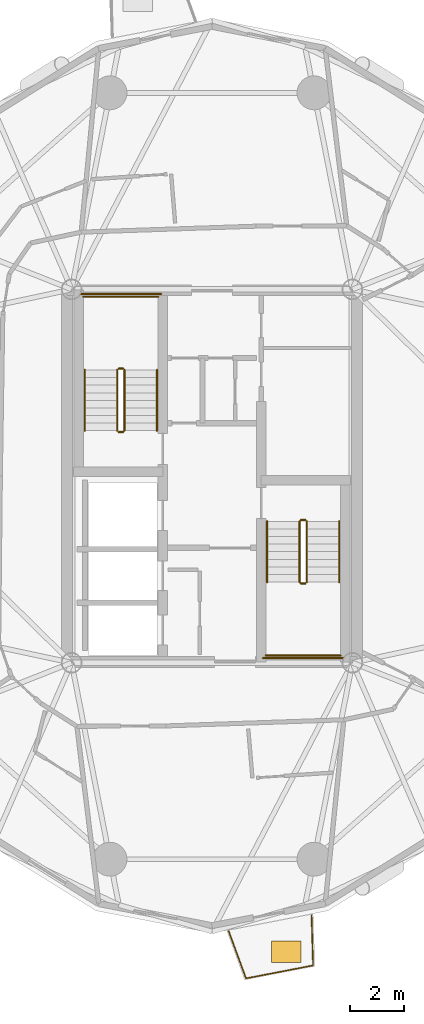
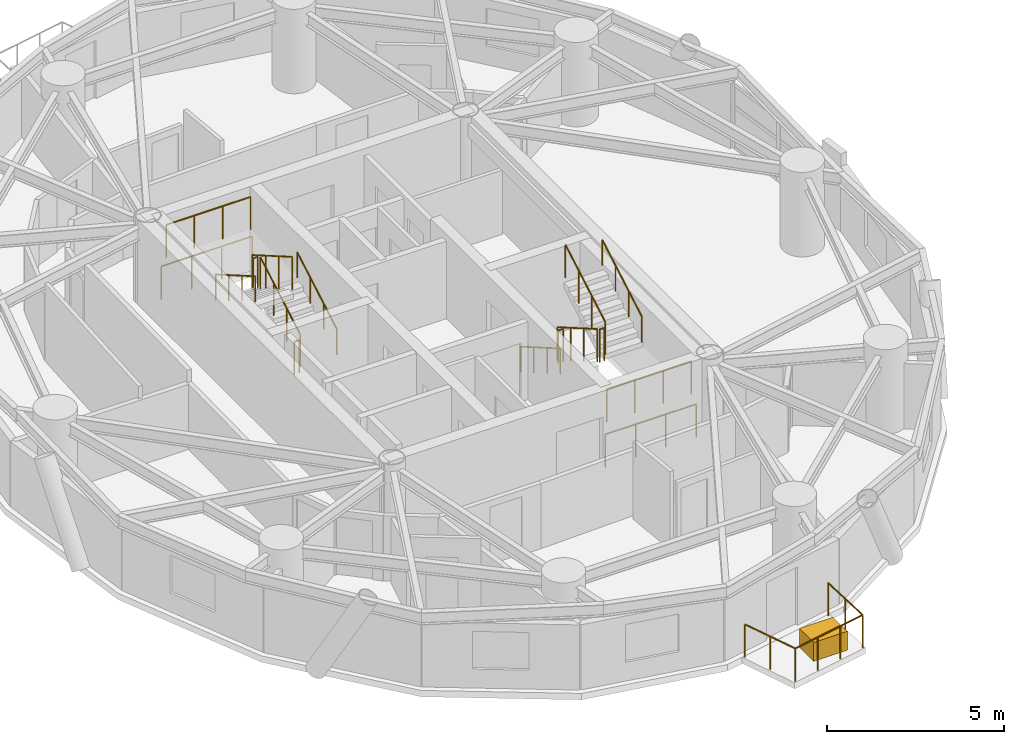
# One storey, part 14 of 16: 17 railings, 1 covering.
"""IFC4 building model written with IfcOpenShell, lengths in metres."""

from ifc_helpers import new_model, si_unit, direction, frame, origin, origin_2d, place, context, subcontext, project, spatial, rectangle, circle, extrude, source, transform, mapped, material, layer, layer_set, type_object, element, save


model = new_model("IFC4")

# Units and contexts
model_context = context("Model", 3, precision=1e-05, world=origin(), true_north=direction((0.0, 1.0)))
body_context = subcontext(model_context, "Body", "Model", "MODEL_VIEW")
ifc_project = project(units=[si_unit("LENGTHUNIT", "METRE"), si_unit("AREAUNIT", "SQUARE_METRE"), si_unit("VOLUMEUNIT", "CUBIC_METRE"), si_unit("PLANEANGLEUNIT", "RADIAN"), si_unit("MASSUNIT", "GRAM", prefix="KILO")], contexts=[model_context])

# Site, building, storey
site_placement = place(None, origin())
site = spatial("IfcSite", under=ifc_project, at=site_placement, CompositionType="ELEMENT")
building_placement = place(site_placement, origin())
building = spatial("IfcBuilding", under=site, at=building_placement, Name="Cununo Teusaquillo Station Towers", CompositionType="ELEMENT")
storey_placement = place(building_placement, frame((0.0, 0.0, 180.699951171875)))
storey = spatial("IfcBuildingStorey", under=building, at=storey_placement, Name="L57", CompositionType="ELEMENT", Elevation=180.699951171875)

# Railings
ifc_material_1 = material(Name="Anodised dark bronze aluminium EN AW-6063-T6", Category="aluminium")
railing_type_1 = type_object("IfcRailingType", Name="RL-EXT-GUARD", PredefinedType="GUARDRAIL", material=ifc_material_1)
railing_1_placement = place(storey_placement, frame((20.168701171875, 8.3125, 0.0)))
element("IfcRailing", 1, at=railing_1_placement, inside=storey, type_object=railing_type_1, Name="L57 Tower A Balcony Guardrail C15", PredefinedType="GUARDRAIL", context=body_context, shape_type="SweptSolid", body=[
    extrude(circle(Radius=0.02392578125, at=origin_2d()), frame((0.0, 0.0, 1.1259765625), z_axis=(0.030460792522, -0.999535962394, 0.0), x_axis=(0.999535962394, 0.030460792522, 0.0)), (0.0, 0.0, 1.0), 1.8515625),
    extrude(circle(Radius=0.02392578125, at=origin_2d()), frame((0.056396484375, -1.8505859375, 1.1259765625), z_axis=(-0.981842829823, -0.189696224332, 0.0), x_axis=(0.189696224332, -0.981842829823, 0.0)), (0.0, 0.0, 1.0), 2.517333984375),
    extrude(circle(Radius=0.02392578125, at=origin_2d()), frame((-2.415283203125, -2.328125, 1.1259765625), z_axis=(-0.3440608985, 0.938947335117, 0.0), x_axis=(-0.938947335117, -0.3440608985, 0.0)), (0.0, 0.0, 1.0), 1.851318359375),
    extrude(circle(Radius=0.02099609375, at=origin_2d()), origin(), (0.0, 0.0, 1.0), 1.101806640625),
    extrude(circle(Radius=0.02099609375, at=origin_2d()), frame((0.0283203125, -0.92529296875, 0.0)), (0.0, 0.0, 1.0), 1.101806640625),
    extrude(circle(Radius=0.02099609375, at=origin_2d()), frame((0.056396484375, -1.8505859375, 0.0)), (0.0, 0.0, 1.0), 1.101806640625),
    extrude(circle(Radius=0.02099609375, at=origin_2d()), frame((-0.767578125, -2.009765625, 0.0)), (0.0, 0.0, 1.0), 1.101806640625),
    extrude(circle(Radius=0.02099609375, at=origin_2d()), frame((-1.59130859375, -2.1689453125, 0.0)), (0.0, 0.0, 1.0), 1.101806640625),
    extrude(circle(Radius=0.02099609375, at=origin_2d()), frame((-2.415283203125, -2.328125, 0.0)), (0.0, 0.0, 1.0), 1.101806640625),
    extrude(circle(Radius=0.02099609375, at=origin_2d()), frame((-2.73388671875, -1.458984375, 0.0)), (0.0, 0.0, 1.0), 1.101806640625),
    extrude(circle(Radius=0.02099609375, at=origin_2d()), frame((-3.05224609375, -0.58984375, 0.0)), (0.0, 0.0, 1.0), 1.101806640625),
])
ifc_material_2 = material(Name="Steel EN 10025-2 S355J2", Category="steel")
railing_type_2 = type_object("IfcRailingType", Name="RL-INT-GUARD", PredefinedType="GUARDRAIL", material=ifc_material_2)
railing_2_placement = place(storey_placement, frame((13.27001953125, 26.169921875, 0.16162109375)))
element("IfcRailing", 2, at=railing_2_placement, inside=storey, type_object=railing_type_2, Name="L57 ST-T1-1 stair guard 1", PredefinedType="GUARDRAIL", context=body_context, shape_type="SweptSolid", body=[
    extrude(circle(Radius=0.02392578125, at=origin_2d()), frame((0.0, 0.0, 1.1259765625), z_axis=(0.0, 0.865992244559, 0.500057429065), x_axis=(-1.0, 0.0, 0.0)), (0.0, 0.0, 1.0), 2.586669921875),
    extrude(circle(Radius=0.02099609375, at=origin_2d()), origin(), (0.0, 0.0, 1.0), 1.101806640625),
    extrude(circle(Radius=0.02099609375, at=origin_2d()), frame((0.0, 0.74658203125, 0.43115234375)), (0.0, 0.0, 1.0), 1.101806640625),
    extrude(circle(Radius=0.02099609375, at=origin_2d()), frame((0.0, 1.493408203125, 0.8623046875)), (0.0, 0.0, 1.0), 1.101806640625),
    extrude(circle(Radius=0.02099609375, at=origin_2d()), frame((0.0, 2.239990234375, 1.29345703125)), (0.0, 0.0, 1.0), 1.101806640625),
])
railing_3_placement = place(storey_placement, frame((13.219970703125, 28.4599609375, 1.455078125)))
element("IfcRailing", 3, at=railing_3_placement, inside=storey, type_object=railing_type_2, Name="L57 ST-T1-1 stair guard 2", PredefinedType="GUARDRAIL", context=body_context, shape_type="SweptSolid", body=[
    extrude(circle(Radius=0.02392578125, at=origin_2d()), frame((0.0, 0.0, 1.1259765625), z_axis=(-1.0, 0.0, 0.0), x_axis=(0.0, -1.0, 0.0)), (0.0, 0.0, 1.0), 0.159912109375),
    extrude(circle(Radius=0.02099609375, at=origin_2d()), origin(), (0.0, 0.0, 1.0), 1.101806640625),
    extrude(circle(Radius=0.02099609375, at=origin_2d()), frame((-0.159912109375, 0.0, 0.0)), (0.0, 0.0, 1.0), 1.101806640625),
])
railing_4_placement = place(storey_placement, frame((14.52001953125, 31.110107421875, 1.455078125)))
element("IfcRailing", 4, at=railing_4_placement, inside=storey, type_object=railing_type_2, Name="L57 ST-T1-1 stair guard 3", PredefinedType="GUARDRAIL", context=body_context, shape_type="SweptSolid", body=[
    extrude(circle(Radius=0.02392578125, at=origin_2d()), frame((0.0, 0.0, 1.1259765625), z_axis=(-1.0, 0.0, 0.0), x_axis=(0.0, -1.0, 0.0)), (0.0, 0.0, 1.0), 2.760009765625),
    extrude(circle(Radius=0.02099609375, at=origin_2d()), origin(), (0.0, 0.0, 1.0), 1.101806640625),
    extrude(circle(Radius=0.02099609375, at=origin_2d()), frame((-0.919921875, 0.0, 0.0)), (0.0, 0.0, 1.0), 1.101806640625),
    extrude(circle(Radius=0.02099609375, at=origin_2d()), frame((-1.840087890625, 0.0, 0.0)), (0.0, 0.0, 1.0), 1.101806640625),
    extrude(circle(Radius=0.02099609375, at=origin_2d()), frame((-2.760009765625, 0.0, 0.0)), (0.0, 0.0, 1.0), 1.101806640625),
])
railing_5_placement = place(storey_placement, frame((13.010009765625, 28.409912109375, 1.61669921875)))
element("IfcRailing", 5, at=railing_5_placement, inside=storey, type_object=railing_type_2, Name="L57 ST-T1-1 stair guard 4", PredefinedType="GUARDRAIL", context=body_context, shape_type="SweptSolid", body=[
    extrude(circle(Radius=0.02392578125, at=origin_2d()), frame((0.0, 0.0, 1.1259765625), z_axis=(0.0, -0.865992244559, 0.500057429065), x_axis=(1.0, 0.0, 0.0)), (0.0, 0.0, 1.0), 2.586669921875),
    extrude(circle(Radius=0.02099609375, at=origin_2d()), origin(), (0.0, 0.0, 1.0), 1.101806640625),
    extrude(circle(Radius=0.02099609375, at=origin_2d()), frame((0.0, -0.74658203125, 0.43115234375)), (0.0, 0.0, 1.0), 1.101806640625),
    extrude(circle(Radius=0.02099609375, at=origin_2d()), frame((0.0, -1.493408203125, 0.8623046875)), (0.0, 0.0, 1.0), 1.101806640625),
    extrude(circle(Radius=0.02099609375, at=origin_2d()), frame((0.0, -2.239990234375, 1.29345703125)), (0.0, 0.0, 1.0), 1.101806640625),
])
railing_6_placement = place(storey_placement, frame((13.219970703125, 26.1201171875, 0.0)))
element("IfcRailing", 6, at=railing_6_placement, inside=storey, type_object=railing_type_2, Name="L57 ST-T1-1 stair guard 5", PredefinedType="GUARDRAIL", context=body_context, shape_type="SweptSolid", body=[
    extrude(circle(Radius=0.02392578125, at=origin_2d()), frame((0.0, 0.0, 1.1259765625), z_axis=(-1.0, 0.0, 0.0), x_axis=(0.0, -1.0, 0.0)), (0.0, 0.0, 1.0), 0.159912109375),
    extrude(circle(Radius=0.02099609375, at=origin_2d()), origin(), (0.0, 0.0, 1.0), 1.101806640625),
    extrude(circle(Radius=0.02099609375, at=origin_2d()), frame((-0.159912109375, 0.0, 0.0)), (0.0, 0.0, 1.0), 1.101806640625),
])
railing_7_placement = place(storey_placement, frame((14.6201171875, 31.2099609375, 0.0)))
element("IfcRailing", 7, at=railing_7_placement, inside=storey, type_object=railing_type_2, Name="L57 ST-T1-1 stair guard 6", PredefinedType="GUARDRAIL", context=body_context, shape_type="SweptSolid", body=[
    extrude(circle(Radius=0.02392578125, at=origin_2d()), frame((0.0, 0.0, 1.1259765625), z_axis=(-1.0, 0.0, 0.0), x_axis=(0.0, -1.0, 0.0)), (0.0, 0.0, 1.0), 2.960205078125),
    extrude(circle(Radius=0.02099609375, at=origin_2d()), origin(), (0.0, 0.0, 1.0), 1.101806640625),
    extrude(circle(Radius=0.02099609375, at=origin_2d()), frame((-0.98681640625, 0.0, 0.0)), (0.0, 0.0, 1.0), 1.101806640625),
    extrude(circle(Radius=0.02099609375, at=origin_2d()), frame((-1.973388671875, 0.0, 0.0)), (0.0, 0.0, 1.0), 1.101806640625),
    extrude(circle(Radius=0.02099609375, at=origin_2d()), frame((-2.960205078125, 0.0, 0.0)), (0.0, 0.0, 1.0), 1.101806640625),
])
railing_8_placement = place(storey_placement, frame((19.72998046875, 22.830078125, 0.16162109375)))
element("IfcRailing", 8, at=railing_8_placement, inside=storey, type_object=railing_type_2, Name="L57 ST-T1-2 stair guard 1", PredefinedType="GUARDRAIL", context=body_context, shape_type="SweptSolid", body=[
    extrude(circle(Radius=0.02392578125, at=origin_2d()), frame((0.0, 0.0, 1.1259765625), z_axis=(0.0, -0.865992244559, 0.500057429065), x_axis=(1.0, 0.0, 0.0)), (0.0, 0.0, 1.0), 2.586669921875),
    extrude(circle(Radius=0.02099609375, at=origin_2d()), origin(), (0.0, 0.0, 1.0), 1.101806640625),
    extrude(circle(Radius=0.02099609375, at=origin_2d()), frame((0.0, -0.74658203125, 0.43115234375)), (0.0, 0.0, 1.0), 1.101806640625),
    extrude(circle(Radius=0.02099609375, at=origin_2d()), frame((0.0, -1.493408203125, 0.8623046875)), (0.0, 0.0, 1.0), 1.101806640625),
    extrude(circle(Radius=0.02099609375, at=origin_2d()), frame((0.0, -2.239990234375, 1.29345703125)), (0.0, 0.0, 1.0), 1.101806640625),
])
railing_9_placement = place(storey_placement, frame((19.780029296875, 20.5400390625, 1.455078125)))
element("IfcRailing", 9, at=railing_9_placement, inside=storey, type_object=railing_type_2, Name="L57 ST-T1-2 stair guard 2", PredefinedType="GUARDRAIL", context=body_context, shape_type="SweptSolid", body=[
    extrude(circle(Radius=0.02392578125, at=origin_2d()), frame((0.0, 0.0, 1.1259765625), z_axis=(1.0, 0.0, 0.0), x_axis=(0.0, 1.0, 0.0)), (0.0, 0.0, 1.0), 0.159912109375),
    extrude(circle(Radius=0.02099609375, at=origin_2d()), origin(), (0.0, 0.0, 1.0), 1.101806640625),
    extrude(circle(Radius=0.02099609375, at=origin_2d()), frame((0.159912109375, 0.0, 0.0)), (0.0, 0.0, 1.0), 1.101806640625),
])
railing_10_placement = place(storey_placement, frame((18.47998046875, 17.889892578125, 1.455078125)))
element("IfcRailing", 10, at=railing_10_placement, inside=storey, type_object=railing_type_2, Name="L57 ST-T1-2 stair guard 3", PredefinedType="GUARDRAIL", context=body_context, shape_type="SweptSolid", body=[
    extrude(circle(Radius=0.02392578125, at=origin_2d()), frame((0.0, 0.0, 1.1259765625), z_axis=(1.0, 0.0, 0.0), x_axis=(0.0, 1.0, 0.0)), (0.0, 0.0, 1.0), 2.760009765625),
    extrude(circle(Radius=0.02099609375, at=origin_2d()), origin(), (0.0, 0.0, 1.0), 1.101806640625),
    extrude(circle(Radius=0.02099609375, at=origin_2d()), frame((0.919921875, 0.0, 0.0)), (0.0, 0.0, 1.0), 1.101806640625),
    extrude(circle(Radius=0.02099609375, at=origin_2d()), frame((1.840087890625, 0.0, 0.0)), (0.0, 0.0, 1.0), 1.101806640625),
    extrude(circle(Radius=0.02099609375, at=origin_2d()), frame((2.760009765625, 0.0, 0.0)), (0.0, 0.0, 1.0), 1.101806640625),
])
railing_11_placement = place(storey_placement, frame((19.989990234375, 20.590087890625, 1.61669921875)))
element("IfcRailing", 11, at=railing_11_placement, inside=storey, type_object=railing_type_2, Name="L57 ST-T1-2 stair guard 4", PredefinedType="GUARDRAIL", context=body_context, shape_type="SweptSolid", body=[
    extrude(circle(Radius=0.02392578125, at=origin_2d()), frame((0.0, 0.0, 1.1259765625), z_axis=(0.0, 0.865992244559, 0.500057429065), x_axis=(-1.0, 0.0, 0.0)), (0.0, 0.0, 1.0), 2.586669921875),
    extrude(circle(Radius=0.02099609375, at=origin_2d()), origin(), (0.0, 0.0, 1.0), 1.101806640625),
    extrude(circle(Radius=0.02099609375, at=origin_2d()), frame((0.0, 0.74658203125, 0.43115234375)), (0.0, 0.0, 1.0), 1.101806640625),
    extrude(circle(Radius=0.02099609375, at=origin_2d()), frame((0.0, 1.493408203125, 0.8623046875)), (0.0, 0.0, 1.0), 1.101806640625),
    extrude(circle(Radius=0.02099609375, at=origin_2d()), frame((0.0, 2.239990234375, 1.29345703125)), (0.0, 0.0, 1.0), 1.101806640625),
])
railing_12_placement = place(storey_placement, frame((19.780029296875, 22.8798828125, 0.0)))
element("IfcRailing", 12, at=railing_12_placement, inside=storey, type_object=railing_type_2, Name="L57 ST-T1-2 stair guard 5", PredefinedType="GUARDRAIL", context=body_context, shape_type="SweptSolid", body=[
    extrude(circle(Radius=0.02392578125, at=origin_2d()), frame((0.0, 0.0, 1.1259765625), z_axis=(1.0, 0.0, 0.0), x_axis=(0.0, 1.0, 0.0)), (0.0, 0.0, 1.0), 0.159912109375),
    extrude(circle(Radius=0.02099609375, at=origin_2d()), origin(), (0.0, 0.0, 1.0), 1.101806640625),
    extrude(circle(Radius=0.02099609375, at=origin_2d()), frame((0.159912109375, 0.0, 0.0)), (0.0, 0.0, 1.0), 1.101806640625),
])
railing_13_placement = place(storey_placement, frame((18.3798828125, 17.7900390625, 0.0)))
element("IfcRailing", 13, at=railing_13_placement, inside=storey, type_object=railing_type_2, Name="L57 ST-T1-2 stair guard 6", PredefinedType="GUARDRAIL", context=body_context, shape_type="SweptSolid", body=[
    extrude(circle(Radius=0.02392578125, at=origin_2d()), frame((0.0, 0.0, 1.1259765625), z_axis=(1.0, 0.0, 0.0), x_axis=(0.0, 1.0, 0.0)), (0.0, 0.0, 1.0), 2.960205078125),
    extrude(circle(Radius=0.02099609375, at=origin_2d()), origin(), (0.0, 0.0, 1.0), 1.101806640625),
    extrude(circle(Radius=0.02099609375, at=origin_2d()), frame((0.98681640625, 0.0, 0.0)), (0.0, 0.0, 1.0), 1.101806640625),
    extrude(circle(Radius=0.02099609375, at=origin_2d()), frame((1.973388671875, 0.0, 0.0)), (0.0, 0.0, 1.0), 1.101806640625),
    extrude(circle(Radius=0.02099609375, at=origin_2d()), frame((2.960205078125, 0.0, 0.0)), (0.0, 0.0, 1.0), 1.101806640625),
])
ifc_material_3 = material(Name="Steel EN 10025-2 S355J2", Category="steel")
railing_type_3 = type_object("IfcRailingType", Name="RL-INT-HRAIL", PredefinedType="HANDRAIL", material=ifc_material_3)
railing_14_placement = place(storey_placement, frame((14.469970703125, 26.169921875, 0.16162109375)))
element("IfcRailing", 14, at=railing_14_placement, inside=storey, type_object=railing_type_3, Name="L57 ST-T1-1 stair handrail 1", PredefinedType="HANDRAIL", context=body_context, shape_type="SweptSolid", body=[
    extrude(circle(Radius=0.02392578125, at=origin_2d()), frame((0.0, 0.0, 0.8759765625), z_axis=(0.0, 0.865992244559, 0.500057429065), x_axis=(-1.0, 0.0, 0.0)), (0.0, 0.0, 1.0), 2.586669921875),
    extrude(circle(Radius=0.02099609375, at=origin_2d()), origin(), (0.0, 0.0, 1.0), 0.851806640625),
    extrude(circle(Radius=0.02099609375, at=origin_2d()), frame((0.0, 0.74658203125, 0.43115234375)), (0.0, 0.0, 1.0), 0.851806640625),
    extrude(circle(Radius=0.02099609375, at=origin_2d()), frame((0.0, 1.493408203125, 0.8623046875)), (0.0, 0.0, 1.0), 0.851806640625),
    extrude(circle(Radius=0.02099609375, at=origin_2d()), frame((0.0, 2.239990234375, 1.29345703125)), (0.0, 0.0, 1.0), 0.851806640625),
])
for number, where, name in (
    (15, (11.81005859375, 28.409912109375, 1.61669921875), "L57 ST-T1-1 stair handrail 2"),
    (16, (18.530029296875, 22.830078125, 0.16162109375), "L57 ST-T1-2 stair handrail 1"),
):
    element("IfcRailing", number, at=place(storey_placement, frame(where)), inside=storey, type_object=railing_type_3, Name=name, PredefinedType="HANDRAIL", context=body_context, shape_type="SweptSolid", body=[
        extrude(circle(Radius=0.02392578125, at=origin_2d()), frame((0.0, 0.0, 0.8759765625), z_axis=(0.0, -0.865992244559, 0.500057429065), x_axis=(1.0, 0.0, 0.0)), (0.0, 0.0, 1.0), 2.586669921875),
        extrude(circle(Radius=0.02099609375, at=origin_2d()), origin(), (0.0, 0.0, 1.0), 0.851806640625),
        extrude(circle(Radius=0.02099609375, at=origin_2d()), frame((0.0, -0.74658203125, 0.43115234375)), (0.0, 0.0, 1.0), 0.851806640625),
        extrude(circle(Radius=0.02099609375, at=origin_2d()), frame((0.0, -1.493408203125, 0.8623046875)), (0.0, 0.0, 1.0), 0.851806640625),
        extrude(circle(Radius=0.02099609375, at=origin_2d()), frame((0.0, -2.239990234375, 1.29345703125)), (0.0, 0.0, 1.0), 0.851806640625),
    ])
railing_15_placement = place(storey_placement, frame((21.18994140625, 20.590087890625, 1.61669921875)))
element("IfcRailing", 17, at=railing_15_placement, inside=storey, type_object=railing_type_3, Name="L57 ST-T1-2 stair handrail 2", PredefinedType="HANDRAIL", context=body_context, shape_type="SweptSolid", body=[
    extrude(circle(Radius=0.02392578125, at=origin_2d()), frame((0.0, 0.0, 0.8759765625), z_axis=(0.0, 0.865992244559, 0.500057429065), x_axis=(-1.0, 0.0, 0.0)), (0.0, 0.0, 1.0), 2.586669921875),
    extrude(circle(Radius=0.02099609375, at=origin_2d()), origin(), (0.0, 0.0, 1.0), 0.851806640625),
    extrude(circle(Radius=0.02099609375, at=origin_2d()), frame((0.0, 0.74658203125, 0.43115234375)), (0.0, 0.0, 1.0), 0.851806640625),
    extrude(circle(Radius=0.02099609375, at=origin_2d()), frame((0.0, 1.493408203125, 0.8623046875)), (0.0, 0.0, 1.0), 0.851806640625),
    extrude(circle(Radius=0.02099609375, at=origin_2d()), frame((0.0, 2.239990234375, 1.29345703125)), (0.0, 0.0, 1.0), 0.851806640625),
])

# Covering
ifc_material_4 = material(Name="Architectural GRC planter shell and engineered root-zone substrate", Category="concrete")
ifc_layer = layer(ifc_material_4, 0.64990234375)
ifc_layer_set = layer_set([ifc_layer], Name="Architectural GRC planter shell and engineered root-zone substrate")
covering_type = type_object("IfcCoveringType", Name="COV-TREE-PLANTER", PredefinedType="CLADDING", material=ifc_layer_set)
shared_shape = source(origin(), body_context, "Body", "SweptSolid", [
    extrude(rectangle(XDim=1.10009765625, YDim=0.800048828125, at=origin_2d()), origin(), (0.0, 0.0, 1.0), 0.64990234375),
])
covering_placement = place(storey_placement, frame((19.237060546875, 6.97021484375, 0.0), z_axis=(0.0, 0.0, 1.0), x_axis=(1.0, 0.0, 0.0)))
element("IfcCovering", 18, at=covering_placement, inside=storey, type_object=covering_type, Name="L57 Tower A Balcony Tree PLANTER C15", PredefinedType="CLADDING", context=body_context, shape_type="MappedRepresentation", body=[
    mapped(shared_shape, transform((0.0, 0.0, 0.0), x_axis=(1.0, 0.0, 0.0), y_axis=(0.0, 1.0, 0.0), z_axis=(0.0, 0.0, 1.0), scale=1.0)),
])

save(model, "model.ifc")
